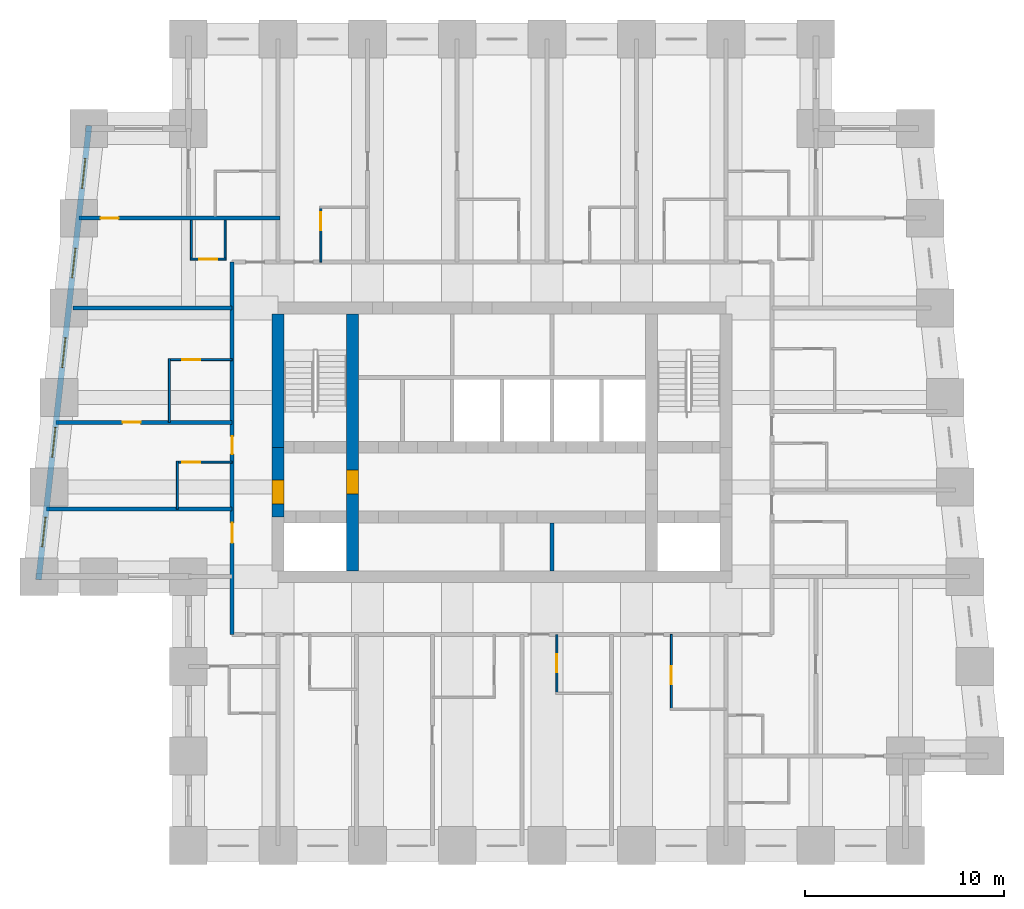
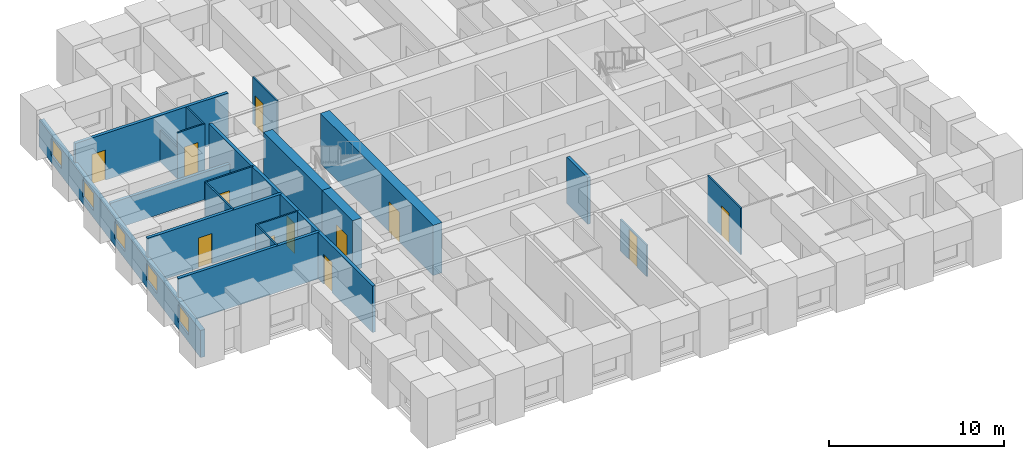
# One storey, part 3 of 8: 20 walls, 12 doors, 5 windows, 17 openings.
"""IFC4 building model written with IfcOpenShell, lengths in metres."""

from ifc_helpers import new_model, si_unit, direction, frame, frame_2d, origin, place, context, subcontext, project, spatial, rectangle, extrude, material, layer, layer_set, type_object, element, fill, save


model = new_model("IFC4")

# Units and contexts
model_context = context("Model", 3, precision=1e-05, world=origin(), true_north=direction((0.0, 1.0)))
body_context = subcontext(model_context, "Body", "Model", "MODEL_VIEW")
ifc_project = project(units=[si_unit("LENGTHUNIT", "METRE"), si_unit("AREAUNIT", "SQUARE_METRE"), si_unit("VOLUMEUNIT", "CUBIC_METRE"), si_unit("PLANEANGLEUNIT", "RADIAN"), si_unit("MASSUNIT", "GRAM", prefix="KILO")], contexts=[model_context])

# Site, building, storey
site_placement = place(None, origin())
site = spatial("IfcSite", under=ifc_project, at=site_placement, CompositionType="ELEMENT")
building_placement = place(site_placement, origin())
building = spatial("IfcBuilding", under=site, at=building_placement, Name="Kilele Tower Hotel", CompositionType="ELEMENT")
storey_placement = place(building_placement, frame((0.0, 0.0, 207.89990234375)))
storey = spatial("IfcBuildingStorey", under=building, at=storey_placement, Name="L54", CompositionType="ELEMENT", Elevation=207.89990234375)

# Wall, opening, door
ifc_material_1 = material(Name="Moisture-resistant board")
ifc_layer_1 = layer(ifc_material_1, 0.10009765625)
ifc_layer_set_1 = layer_set([ifc_layer_1], Name="Moisture-resistant board")
wall_type_1 = type_object("IfcWallType", Name="Bathroom partition 100", PredefinedType="PLUMBINGWALL", material=ifc_layer_set_1)
wall_1_placement = place(storey_placement, frame((27.5, 10.60009765625, 0.0), z_axis=(0.0, 0.0, 1.0), x_axis=(0.0, -1.0, 0.0)))
wall_1 = element("IfcWall", 1, at=wall_1_placement, inside=storey, type_object=wall_type_1, Name="Bathroom partition 100 L54", PredefinedType="PLUMBINGWALL", context=body_context, shape_type="SweptSolid", body=[
    extrude(rectangle(XDim=3.0, YDim=0.10009765625, at=frame_2d((1.5, 0.0))), origin(), (0.0, 0.0, 1.0), 2.2001953125),
])
opening_1_placement = place(wall_1_placement, frame((1.89990234375, 0.0, 0.0), z_axis=(0.0, 0.0, 1.0), x_axis=(-1.0, 0.0, 0.0)))
opening_1 = element("IfcOpeningElement", 2, at=opening_1_placement, cuts=wall_1, Name="Opening D2A", PredefinedType="OPENING", context=body_context, shape_type="SweptSolid", body=[
    extrude(rectangle(XDim=0.89990234375, YDim=2.10009765625, at=frame_2d((0.449951171875, 1.050048828125))), frame((0.0, 0.06005859375, 0.0), z_axis=(0.0, -1.0, 0.0), x_axis=(1.0, 0.0, 0.0)), (0.0, 0.0, 1.0), 0.1201171875),
])
ifc_material_2 = material(Name="Timber door leaf in hardwood frame", Category="wood")
door_type_1 = type_object("IfcDoorType", Name="Bathroom door 900", OperationType="SINGLE_SWING_LEFT", PredefinedType="DOOR", material=ifc_material_2)
door_1_placement = place(opening_1_placement, origin())
door_1 = element("IfcDoor", 3, at=door_1_placement, inside=storey, type_object=door_type_1, Name="Bathroom door 5404B", OperationType="SINGLE_SWING_RIGHT", OverallHeight=2.10009765625, OverallWidth=0.89990234375, PredefinedType="DOOR", context=body_context, shape_type="SweptSolid", body=[
    extrude(rectangle(XDim=0.89990234375, YDim=2.10009765625, at=frame_2d((0.449951171875, 1.050048828125))), frame((0.0, 0.02490234375, 0.0), z_axis=(0.0, -1.0, 0.0), x_axis=(1.0, 0.0, 0.0)), (0.0, 0.0, 1.0), 0.050048828125),
])
fill(opening_1, door_1)

wall_2_placement = place(storey_placement, frame((33.25, 10.60009765625, 0.0), z_axis=(0.0, 0.0, 1.0), x_axis=(0.0, -1.0, 0.0)))
wall_2 = element("IfcWall", 4, at=wall_2_placement, inside=storey, type_object=wall_type_1, Name="Bathroom partition 100 L54", PredefinedType="PLUMBINGWALL", context=body_context, shape_type="SweptSolid", body=[
    extrude(rectangle(XDim=3.800048828125, YDim=0.10009765625, at=frame_2d((1.89990234375, 0.0))), origin(), (0.0, 0.0, 1.0), 3.25),
])
opening_2_placement = place(wall_2_placement, frame((2.5, 0.0, 0.0), z_axis=(0.0, 0.0, 1.0), x_axis=(-1.0, 0.0, 0.0)))
opening_2 = element("IfcOpeningElement", 5, at=opening_2_placement, cuts=wall_2, Name="Opening D2A", PredefinedType="OPENING", context=body_context, shape_type="SweptSolid", body=[
    extrude(rectangle(XDim=0.89990234375, YDim=2.10009765625, at=frame_2d((0.449951171875, 1.050048828125))), frame((0.0, 0.06005859375, 0.0), z_axis=(0.0, -1.0, 0.0), x_axis=(1.0, 0.0, 0.0)), (0.0, 0.0, 1.0), 0.1201171875),
])
door_2_placement = place(opening_2_placement, origin())
door_2 = element("IfcDoor", 6, at=door_2_placement, inside=storey, type_object=door_type_1, Name="Bathroom door 5405B", OperationType="SINGLE_SWING_LEFT", OverallHeight=2.10009765625, OverallWidth=0.89990234375, PredefinedType="DOOR", context=body_context, shape_type="SweptSolid", body=[
    extrude(rectangle(XDim=0.89990234375, YDim=2.10009765625, at=frame_2d((0.449951171875, 1.050048828125))), frame((0.0, 0.02490234375, 0.0), z_axis=(0.0, -1.0, 0.0), x_axis=(1.0, 0.0, 0.0)), (0.0, 0.0, 1.0), 0.050048828125),
])
fill(opening_2, door_2)

wall_3_placement = place(storey_placement, frame((15.64990234375, 29.300048828125, 0.0), z_axis=(0.0, 0.0, 1.0), x_axis=(0.0, 1.0, 0.0)))
wall_3 = element("IfcWall", 7, at=wall_3_placement, inside=storey, type_object=wall_type_1, Name="Bathroom partition 100 L54", PredefinedType="PLUMBINGWALL", context=body_context, shape_type="SweptSolid", body=[
    extrude(rectangle(XDim=2.800048828125, YDim=0.10009765625, at=frame_2d((1.39990234375, 0.0))), origin(), (0.0, 0.0, 1.0), 3.25),
])
opening_3_placement = place(wall_3_placement, frame((1.60009765625, 0.0, 0.0)))
opening_3 = element("IfcOpeningElement", 8, at=opening_3_placement, cuts=wall_3, Name="Opening D2A", PredefinedType="OPENING", context=body_context, shape_type="SweptSolid", body=[
    extrude(rectangle(XDim=0.89990234375, YDim=2.10009765625, at=frame_2d((0.449951171875, 1.050048828125))), frame((0.0, 0.06005859375, 0.0), z_axis=(0.0, -1.0, 0.0), x_axis=(1.0, 0.0, 0.0)), (0.0, 0.0, 1.0), 0.1201171875),
])
door_3_placement = place(opening_3_placement, origin())
door_3 = element("IfcDoor", 9, at=door_3_placement, inside=storey, type_object=door_type_1, Name="Bathroom door 5409B", OperationType="SINGLE_SWING_LEFT", OverallHeight=2.10009765625, OverallWidth=0.89990234375, PredefinedType="DOOR", context=body_context, shape_type="SweptSolid", body=[
    extrude(rectangle(XDim=0.89990234375, YDim=2.10009765625, at=frame_2d((0.449951171875, 1.050048828125))), frame((0.0, 0.02490234375, 0.0), z_axis=(0.0, -1.0, 0.0), x_axis=(1.0, 0.0, 0.0)), (0.0, 0.0, 1.0), 0.050048828125),
])
fill(opening_3, door_3)

# Wall
wall_4_placement = place(storey_placement, frame((8.449951171875, 16.89990234375, 0.0), z_axis=(0.0, 0.0, 1.0), x_axis=(0.0, 1.0, 0.0)))
element("IfcWall", 10, at=wall_4_placement, inside=storey, type_object=wall_type_1, Name="Bathroom partition 100 L54", PredefinedType="PLUMBINGWALL", context=body_context, shape_type="SweptSolid", body=[
    extrude(rectangle(XDim=2.400146484375, YDim=0.10009765625, at=frame_2d((1.2001953125, 0.0))), origin(), (0.0, 0.0, 1.0), 3.25),
])

# Wall, opening, door
wall_5_placement = place(storey_placement, frame((11.199951171875, 19.25, 0.0), z_axis=(0.0, 0.0, 1.0), x_axis=(-1.0, 0.0, 0.0)))
wall_5 = element("IfcWall", 11, at=wall_5_placement, inside=storey, type_object=wall_type_1, Name="Bathroom partition 100 L54", PredefinedType="PLUMBINGWALL", context=body_context, shape_type="SweptSolid", body=[
    extrude(rectangle(XDim=2.800048828125, YDim=0.10009765625, at=frame_2d((1.39990234375, 0.0))), origin(), (0.0, 0.0, 1.0), 3.25),
])
opening_4_placement = place(wall_5_placement, frame((2.5, 0.0, 0.0), z_axis=(0.0, 0.0, 1.0), x_axis=(-1.0, 0.0, 0.0)))
opening_4 = element("IfcOpeningElement", 12, at=opening_4_placement, cuts=wall_5, Name="Opening D2A", PredefinedType="OPENING", context=body_context, shape_type="SweptSolid", body=[
    extrude(rectangle(XDim=0.89990234375, YDim=2.10009765625, at=frame_2d((0.449951171875, 1.050048828125))), frame((0.0, 0.06005859375, 0.0), z_axis=(0.0, -1.0, 0.0), x_axis=(1.0, 0.0, 0.0)), (0.0, 0.0, 1.0), 0.1201171875),
])
door_4_placement = place(opening_4_placement, origin())
door_4 = element("IfcDoor", 13, at=door_4_placement, inside=storey, type_object=door_type_1, Name="Bathroom door 5415B", OperationType="SINGLE_SWING_LEFT", OverallHeight=2.10009765625, OverallWidth=0.89990234375, PredefinedType="DOOR", context=body_context, shape_type="SweptSolid", body=[
    extrude(rectangle(XDim=0.89990234375, YDim=2.10009765625, at=frame_2d((0.449951171875, 1.050048828125))), frame((0.0, 0.02490234375, 0.0), z_axis=(0.0, -1.0, 0.0), x_axis=(1.0, 0.0, 0.0)), (0.0, 0.0, 1.0), 0.050048828125),
])
fill(opening_4, door_4)

# Wall
wall_6_placement = place(storey_placement, frame((8.050048828125, 21.25, 0.0), z_axis=(0.0, 0.0, 1.0), x_axis=(0.0, 1.0, 0.0)))
element("IfcWall", 14, at=wall_6_placement, inside=storey, type_object=wall_type_1, Name="Bathroom partition 100 L54", PredefinedType="PLUMBINGWALL", context=body_context, shape_type="SweptSolid", body=[
    extrude(rectangle(XDim=3.199951171875, YDim=0.10009765625, at=frame_2d((1.60009765625, 0.0))), origin(), (0.0, 0.0, 1.0), 3.25),
])

# Wall, opening, door
wall_7_placement = place(storey_placement, frame((11.199951171875, 24.39990234375, 0.0), z_axis=(0.0, 0.0, 1.0), x_axis=(-1.0, 0.0, 0.0)))
wall_7 = element("IfcWall", 15, at=wall_7_placement, inside=storey, type_object=wall_type_1, Name="Bathroom partition 100 L54", PredefinedType="PLUMBINGWALL", context=body_context, shape_type="SweptSolid", body=[
    extrude(rectangle(XDim=3.199951171875, YDim=0.10009765625, at=frame_2d((1.60009765625, 0.0))), origin(), (0.0, 0.0, 1.0), 3.25),
])
opening_5_placement = place(wall_7_placement, frame((2.5, 0.0, 0.0), z_axis=(0.0, 0.0, 1.0), x_axis=(-1.0, 0.0, 0.0)))
opening_5 = element("IfcOpeningElement", 16, at=opening_5_placement, cuts=wall_7, Name="Opening D2A", PredefinedType="OPENING", context=body_context, shape_type="SweptSolid", body=[
    extrude(rectangle(XDim=0.89990234375, YDim=2.10009765625, at=frame_2d((0.449951171875, 1.050048828125))), frame((0.0, 0.06005859375, 0.0), z_axis=(0.0, -1.0, 0.0), x_axis=(1.0, 0.0, 0.0)), (0.0, 0.0, 1.0), 0.1201171875),
])
door_5_placement = place(opening_5_placement, origin())
door_5 = element("IfcDoor", 17, at=door_5_placement, inside=storey, type_object=door_type_1, Name="Bathroom door 5416B", OperationType="SINGLE_SWING_LEFT", OverallHeight=2.10009765625, OverallWidth=0.89990234375, PredefinedType="DOOR", context=body_context, shape_type="SweptSolid", body=[
    extrude(rectangle(XDim=0.89990234375, YDim=2.10009765625, at=frame_2d((0.449951171875, 1.050048828125))), frame((0.0, 0.02490234375, 0.0), z_axis=(0.0, -1.0, 0.0), x_axis=(1.0, 0.0, 0.0)), (0.0, 0.0, 1.0), 0.050048828125),
])
fill(opening_5, door_5)

# Walls
wall_8_placement = place(storey_placement, frame((9.14990234375, 31.39990234375, 0.0), z_axis=(0.0, 0.0, 1.0), x_axis=(0.0, -1.0, 0.0)))
element("IfcWall", 18, at=wall_8_placement, inside=storey, type_object=wall_type_1, Name="Bathroom partition 100 L54", PredefinedType="PLUMBINGWALL", context=body_context, shape_type="SweptSolid", body=[
    extrude(rectangle(XDim=2.0, YDim=0.10009765625, at=frame_2d((1.0, 0.0))), origin(), (0.0, 0.0, 1.0), 2.2001953125),
])
wall_9_placement = place(storey_placement, frame((10.85009765625, 31.39990234375, 0.0), z_axis=(0.0, 0.0, 1.0), x_axis=(0.0, -1.0, 0.0)))
element("IfcWall", 19, at=wall_9_placement, inside=storey, type_object=wall_type_1, Name="Bathroom partition 100 L54", PredefinedType="PLUMBINGWALL", context=body_context, shape_type="SweptSolid", body=[
    extrude(rectangle(XDim=2.0, YDim=0.10009765625, at=frame_2d((1.0, 0.0))), origin(), (0.0, 0.0, 1.0), 3.25),
])

# Wall, opening, door
wall_10_placement = place(storey_placement, frame((10.89990234375, 29.449951171875, 0.0), z_axis=(0.0, 0.0, 1.0), x_axis=(-1.0, 0.0, 0.0)))
wall_10 = element("IfcWall", 20, at=wall_10_placement, inside=storey, type_object=wall_type_1, Name="Bathroom partition 100 L54", PredefinedType="PLUMBINGWALL", context=body_context, shape_type="SweptSolid", body=[
    extrude(rectangle(XDim=1.7998046875, YDim=0.10009765625, at=frame_2d((0.89990234375, 0.0))), origin(), (0.0, 0.0, 1.0), 3.25),
])
opening_6_placement = place(wall_10_placement, frame((0.449951171875, 0.0, 0.0)))
opening_6 = element("IfcOpeningElement", 21, at=opening_6_placement, cuts=wall_10, Name="Opening D2A", PredefinedType="OPENING", context=body_context, shape_type="SweptSolid", body=[
    extrude(rectangle(XDim=0.89990234375, YDim=2.10009765625, at=frame_2d((0.449951171875, 1.050048828125))), frame((0.0, 0.06005859375, 0.0), z_axis=(0.0, -1.0, 0.0), x_axis=(1.0, 0.0, 0.0)), (0.0, 0.0, 1.0), 0.1201171875),
])
door_6_placement = place(opening_6_placement, origin())
door_6 = element("IfcDoor", 22, at=door_6_placement, inside=storey, type_object=door_type_1, Name="Bathroom door 5425P", OperationType="SINGLE_SWING_LEFT", OverallHeight=2.10009765625, OverallWidth=0.89990234375, PredefinedType="DOOR", context=body_context, shape_type="SweptSolid", body=[
    extrude(rectangle(XDim=0.89990234375, YDim=2.10009765625, at=frame_2d((0.449951171875, 1.050048828125))), frame((0.0, 0.02490234375, 0.0), z_axis=(0.0, -1.0, 0.0), x_axis=(1.0, 0.0, 0.0)), (0.0, 0.0, 1.0), 0.050048828125),
])
fill(opening_6, door_6)

ifc_material_3 = material(Name="Concrete C70/85", Category="concrete")
ifc_layer_2 = layer(ifc_material_3, 0.60009765625)
ifc_layer_set_2 = layer_set([ifc_layer_2], Name="Concrete C70/85")
wall_type_2 = type_object("IfcWallType", Name="Core wall 600 C70/85", PredefinedType="SHEAR", material=ifc_layer_set_2)
wall_11_placement = place(storey_placement, frame((17.25, 13.800048828125, 0.0), z_axis=(0.0, 0.0, 1.0), x_axis=(0.0, 1.0, 0.0)))
wall_11 = element("IfcWall", 23, at=wall_11_placement, inside=storey, type_object=wall_type_2, Name="Core wall IW L54", PredefinedType="SHEAR", context=body_context, shape_type="SweptSolid", body=[
    extrude(rectangle(XDim=12.89990234375, YDim=0.60009765625, at=frame_2d((6.449951171875, 0.0))), origin(), (0.0, 0.0, 1.0), 3.5),
])
opening_7_placement = place(wall_11_placement, frame((3.85009765625, 0.0, 0.0)))
opening_7 = element("IfcOpeningElement", 24, at=opening_7_placement, cuts=wall_11, Name="Opening D4", PredefinedType="OPENING", context=body_context, shape_type="SweptSolid", body=[
    extrude(rectangle(XDim=1.199951171875, YDim=2.10009765625, at=frame_2d((0.60009765625, 1.050048828125))), frame((0.0, 0.31005859375, 0.0), z_axis=(0.0, -1.0, 0.0), x_axis=(1.0, 0.0, 0.0)), (0.0, 0.0, 1.0), 0.6201171875),
])
ifc_material_4 = material(Name="Timber door leaf in hardwood frame", Category="wood")
door_type_2 = type_object("IfcDoorType", Name="Firefighting lobby door 1200", OperationType="SINGLE_SWING_LEFT", PredefinedType="DOOR", material=ifc_material_4)
door_7_placement = place(opening_7_placement, origin())
door_7 = element("IfcDoor", 25, at=door_7_placement, inside=storey, type_object=door_type_2, Name="Lobby door L54", OperationType="SINGLE_SWING_LEFT", OverallHeight=2.10009765625, OverallWidth=1.199951171875, PredefinedType="DOOR", context=body_context, shape_type="SweptSolid", body=[
    extrude(rectangle(XDim=1.199951171875, YDim=2.10009765625, at=frame_2d((0.60009765625, 1.050048828125))), frame((0.0, 0.2998046875, 0.0), z_axis=(0.0, -1.0, 0.0), x_axis=(1.0, 0.0, 0.0)), (0.0, 0.0, 1.0), 0.599609375),
])
fill(opening_7, door_7)

# Wall
wall_12_placement = place(storey_placement, frame((13.5, 26.699951171875, 0.0), z_axis=(0.0, 0.0, 1.0), x_axis=(0.0, -1.0, 0.0)))
element("IfcWall", 26, at=wall_12_placement, inside=storey, type_object=wall_type_2, Name="Core wall W1 L54", PredefinedType="SHEAR", context=body_context, shape_type="SweptSolid", body=[
    extrude(rectangle(XDim=6.699951171875, YDim=0.60009765625, at=frame_2d((3.35009765625, 0.0))), origin(), (0.0, 0.0, 1.0), 3.5),
])

# Wall, opening, door
wall_13_placement = place(storey_placement, frame((13.5, 20.0, 0.0), z_axis=(0.0, 0.0, 1.0), x_axis=(0.0, -1.0, 0.0)))
wall_13 = element("IfcWall", 27, at=wall_13_placement, inside=storey, type_object=wall_type_2, Name="Core wall W2 L54", PredefinedType="SHEAR", context=body_context, shape_type="SweptSolid", body=[
    extrude(rectangle(XDim=3.5, YDim=0.60009765625, at=frame_2d((1.75, 0.0))), origin(), (0.0, 0.0, 1.0), 3.5),
])
opening_8_placement = place(wall_13_placement, frame((1.64990234375, 0.0, 0.0)))
opening_8 = element("IfcOpeningElement", 28, at=opening_8_placement, cuts=wall_13, Name="Opening D4", PredefinedType="OPENING", context=body_context, shape_type="SweptSolid", body=[
    extrude(rectangle(XDim=1.199951171875, YDim=2.10009765625, at=frame_2d((0.60009765625, 1.050048828125))), frame((0.0, 0.31005859375, 0.0), z_axis=(0.0, -1.0, 0.0), x_axis=(1.0, 0.0, 0.0)), (0.0, 0.0, 1.0), 0.6201171875),
])
door_8_placement = place(opening_8_placement, origin())
door_8 = element("IfcDoor", 29, at=door_8_placement, inside=storey, type_object=door_type_2, Name="Lobby door L54", OperationType="SINGLE_SWING_RIGHT", OverallHeight=2.10009765625, OverallWidth=1.199951171875, PredefinedType="DOOR", context=body_context, shape_type="SweptSolid", body=[
    extrude(rectangle(XDim=1.199951171875, YDim=2.10009765625, at=frame_2d((0.60009765625, 1.050048828125))), frame((0.0, 0.2998046875, 0.0), z_axis=(0.0, -1.0, 0.0), x_axis=(1.0, 0.0, 0.0)), (0.0, 0.0, 1.0), 0.599609375),
])
fill(opening_8, door_8)

# Wall, openings, doors
ifc_material_5 = material(Name="Blockwork, plastered both sides", Category="masonry")
ifc_layer_3 = layer(ifc_material_5, 0.199951171875)
ifc_layer_set_3 = layer_set([ifc_layer_3], Name="Blockwork, plastered both sides")
wall_type_3 = type_object("IfcWallType", Name="Corridor wall 200", PredefinedType="PARTITIONING", material=ifc_layer_set_3)
wall_14_placement = place(storey_placement, frame((11.199951171875, 10.60009765625, 0.0), z_axis=(0.0, 0.0, 1.0), x_axis=(0.0, 1.0, 0.0)))
wall_14 = element("IfcWall", 30, at=wall_14_placement, inside=storey, type_object=wall_type_3, Name="Corridor wall 200 L54", PredefinedType="PARTITIONING", context=body_context, shape_type="SweptSolid", body=[
    extrude(rectangle(XDim=18.699951171875, YDim=0.199951171875, at=frame_2d((9.35009765625, 0.0))), origin(), (0.0, 0.0, 1.0), 3.25),
])
opening_9_placement = place(wall_14_placement, frame((4.60009765625, 0.0, 0.0)))
opening_9 = element("IfcOpeningElement", 31, at=opening_9_placement, cuts=wall_14, Name="Opening D8", PredefinedType="OPENING", context=body_context, shape_type="SweptSolid", body=[
    extrude(rectangle(XDim=1.0, YDim=2.10009765625, at=frame_2d((0.5, 1.050048828125))), frame((0.0, 0.10986328125, 0.0), z_axis=(0.0, -1.0, 0.0), x_axis=(1.0, 0.0, 0.0)), (0.0, 0.0, 1.0), 0.219970703125),
])
opening_10_placement = place(wall_14_placement, frame((9.050048828125, 0.0, 0.0)))
opening_10 = element("IfcOpeningElement", 32, at=opening_10_placement, cuts=wall_14, Name="Opening D1", PredefinedType="OPENING", context=body_context, shape_type="SweptSolid", body=[
    extrude(rectangle(XDim=0.89990234375, YDim=2.10009765625, at=frame_2d((0.449951171875, 1.050048828125))), frame((0.0, 0.10986328125, 0.0), z_axis=(0.0, -1.0, 0.0), x_axis=(1.0, 0.0, 0.0)), (0.0, 0.0, 1.0), 0.219970703125),
])
ifc_material_6 = material(Name="Timber door leaf in hardwood frame", Category="wood")
door_type_3 = type_object("IfcDoorType", Name="Door 1000", OperationType="SINGLE_SWING_LEFT", PredefinedType="DOOR", material=ifc_material_6)
door_9_placement = place(opening_9_placement, origin())
door_9 = element("IfcDoor", 33, at=door_9_placement, inside=storey, type_object=door_type_3, Name="Room entrance 5414", OperationType="SINGLE_SWING_RIGHT", OverallHeight=2.10009765625, OverallWidth=1.0, PredefinedType="DOOR", context=body_context, shape_type="SweptSolid", body=[
    extrude(rectangle(XDim=1.0, YDim=2.10009765625, at=frame_2d((0.5, 1.050048828125))), frame((0.0, 0.02490234375, 0.0), z_axis=(0.0, -1.0, 0.0), x_axis=(1.0, 0.0, 0.0)), (0.0, 0.0, 1.0), 0.050048828125),
])
fill(opening_9, door_9)
ifc_material_7 = material(Name="Timber door leaf in hardwood frame", Category="wood")
door_type_4 = type_object("IfcDoorType", Name="Guest room entrance door 900", OperationType="SINGLE_SWING_LEFT", PredefinedType="DOOR", material=ifc_material_7)
door_10_placement = place(opening_10_placement, origin())
door_10 = element("IfcDoor", 34, at=door_10_placement, inside=storey, type_object=door_type_4, Name="Room entrance 5415", OperationType="SINGLE_SWING_LEFT", OverallHeight=2.10009765625, OverallWidth=0.89990234375, PredefinedType="DOOR", context=body_context, shape_type="SweptSolid", body=[
    extrude(rectangle(XDim=0.89990234375, YDim=2.10009765625, at=frame_2d((0.449951171875, 1.050048828125))), frame((0.0, 0.02490234375, 0.0), z_axis=(0.0, -1.0, 0.0), x_axis=(1.0, 0.0, 0.0)), (0.0, 0.0, 1.0), 0.050048828125),
])
fill(opening_10, door_10)

# Wall
ifc_material_8 = material(Name="Blockwork, plastered both sides", Category="masonry")
ifc_layer_4 = layer(ifc_material_8, 0.199951171875)
ifc_layer_set_4 = layer_set([ifc_layer_4], Name="Blockwork, plastered both sides")
wall_type_4 = type_object("IfcWallType", Name="Party wall 200", PredefinedType="PARTITIONING", material=ifc_layer_set_4)
wall_15_placement = place(storey_placement, frame((11.199951171875, 16.89990234375, 0.0), z_axis=(0.0, 0.0, 1.0), x_axis=(-1.0, 0.0, 0.0)))
element("IfcWall", 35, at=wall_15_placement, inside=storey, type_object=wall_type_4, Name="Party wall 200 L54", PredefinedType="PARTITIONING", context=body_context, shape_type="SweptSolid", body=[
    extrude(rectangle(XDim=9.3212890625, YDim=0.199951171875, at=frame_2d((4.66064453125, 0.0))), origin(), (0.0, 0.0, 1.0), 3.25),
])

# Wall, opening, door
wall_16_placement = place(storey_placement, frame((11.199951171875, 21.25, 0.0), z_axis=(0.0, 0.0, 1.0), x_axis=(-1.0, 0.0, 0.0)))
wall_16 = element("IfcWall", 36, at=wall_16_placement, inside=storey, type_object=wall_type_4, Name="Party wall 200 L54", PredefinedType="PARTITIONING", context=body_context, shape_type="SweptSolid", body=[
    extrude(rectangle(XDim=8.837890625, YDim=0.199951171875, at=frame_2d((4.4189453125, 0.0))), origin(), (0.0, 0.0, 1.0), 3.25),
])
opening_11_placement = place(wall_16_placement, frame((5.5, 0.0, 0.0), z_axis=(0.0, 0.0, 1.0), x_axis=(-1.0, 0.0, 0.0)))
opening_11 = element("IfcOpeningElement", 37, at=opening_11_placement, cuts=wall_16, Name="Opening D3", PredefinedType="OPENING", context=body_context, shape_type="SweptSolid", body=[
    extrude(rectangle(XDim=0.89990234375, YDim=2.10009765625, at=frame_2d((0.449951171875, 1.050048828125))), frame((0.0, 0.10986328125, 0.0), z_axis=(0.0, -1.0, 0.0), x_axis=(1.0, 0.0, 0.0)), (0.0, 0.0, 1.0), 0.219970703125),
])
ifc_material_9 = material(Name="Timber door leaf in hardwood frame", Category="wood")
door_type_5 = type_object("IfcDoorType", Name="Suite internal door 900", OperationType="SINGLE_SWING_LEFT", PredefinedType="DOOR", material=ifc_material_9)
door_11_placement = place(opening_11_placement, origin())
door_11 = element("IfcDoor", 38, at=door_11_placement, inside=storey, type_object=door_type_5, Name="Suite door 5416", OperationType="SINGLE_SWING_RIGHT", OverallHeight=2.10009765625, OverallWidth=0.89990234375, PredefinedType="DOOR", context=body_context, shape_type="SweptSolid", body=[
    extrude(rectangle(XDim=0.89990234375, YDim=2.10009765625, at=frame_2d((0.449951171875, 1.050048828125))), frame((0.0, 0.02490234375, 0.0), z_axis=(0.0, -1.0, 0.0), x_axis=(1.0, 0.0, 0.0)), (0.0, 0.0, 1.0), 0.050048828125),
])
fill(opening_11, door_11)

# Wall
wall_17_placement = place(storey_placement, frame((11.199951171875, 27.0, 0.0), z_axis=(0.0, 0.0, 1.0), x_axis=(-1.0, 0.0, 0.0)))
element("IfcWall", 39, at=wall_17_placement, inside=storey, type_object=wall_type_4, Name="Party wall 200 L54", PredefinedType="PARTITIONING", context=body_context, shape_type="SweptSolid", body=[
    extrude(rectangle(XDim=7.976806640625, YDim=0.199951171875, at=frame_2d((3.98828125, 0.0))), origin(), (0.0, 0.0, 1.0), 1.900146484375),
])

# Wall, opening, door
wall_18_placement = place(storey_placement, frame((13.60009765625, 31.5, 0.0), z_axis=(0.0, 0.0, 1.0), x_axis=(-1.0, 0.0, 0.0)))
wall_18 = element("IfcWall", 40, at=wall_18_placement, inside=storey, type_object=wall_type_4, Name="Party wall 200 L54", PredefinedType="PARTITIONING", context=body_context, shape_type="SweptSolid", body=[
    extrude(rectangle(XDim=10.09912109375, YDim=0.199951171875, at=frame_2d((5.049560546875, 0.0))), origin(), (0.0, 0.0, 1.0), 3.25),
])
opening_12_placement = place(wall_18_placement, frame((8.9990234375, 0.0, 0.0), z_axis=(0.0, 0.0, 1.0), x_axis=(-1.0, 0.0, 0.0)))
opening_12 = element("IfcOpeningElement", 41, at=opening_12_placement, cuts=wall_18, Name="Opening D3", PredefinedType="OPENING", context=body_context, shape_type="SweptSolid", body=[
    extrude(rectangle(XDim=0.89990234375, YDim=2.10009765625, at=frame_2d((0.449951171875, 1.050048828125))), frame((0.0, 0.10986328125, 0.0), z_axis=(0.0, -1.0, 0.0), x_axis=(1.0, 0.0, 0.0)), (0.0, 0.0, 1.0), 0.219970703125),
])
door_12_placement = place(opening_12_placement, origin())
door_12 = element("IfcDoor", 42, at=door_12_placement, inside=storey, type_object=door_type_5, Name="Suite door 5426", OperationType="SINGLE_SWING_LEFT", OverallHeight=2.10009765625, OverallWidth=0.89990234375, PredefinedType="DOOR", context=body_context, shape_type="SweptSolid", body=[
    extrude(rectangle(XDim=0.89990234375, YDim=2.10009765625, at=frame_2d((0.449951171875, 1.050048828125))), frame((0.0, 0.02490234375, 0.0), z_axis=(0.0, -1.0, 0.0), x_axis=(1.0, 0.0, 0.0)), (0.0, 0.0, 1.0), 0.050048828125),
])
fill(opening_12, door_12)

# Wall, openings, windows
ifc_material_10 = material(Name="Concrete C40/50 precast", Category="concrete")
ifc_layer_5 = layer(ifc_material_10, 0.260009765625, Name="Precast backing", Category="LoadBearing")
ifc_material_11 = material(Name="Reconstituted stone finish", Category="masonry")
ifc_layer_6 = layer(ifc_material_11, 0.0400390625, Name="Face mix", Category="Finish")
ifc_layer_set_5 = layer_set([ifc_layer_5, ifc_layer_6], Name="Precast concrete C40/50, reconstituted stone finish")
wall_type_5 = type_object("IfcWallType", Name="Precast stone facade wall 300", PredefinedType="STANDARD", material=ifc_layer_set_5)
wall_19_placement = place(storey_placement, frame((4.0166015625, 36.149169921875, 0.0), z_axis=(0.0, 0.0, 1.0), x_axis=(-0.110433862387, -0.993883475081, 0.0)))
wall_19 = element("IfcWall", 43, at=wall_19_placement, inside=storey, type_object=wall_type_5, Name="Facade wall L54 edge 12", PredefinedType="STANDARD", context=body_context, shape_type="SweptSolid", body=[
    extrude(rectangle(XDim=22.938720703125, YDim=0.300048828125, at=frame_2d((11.46923828125, 0.0))), origin(), (0.0, 0.0, 1.0), 1.900146484375),
])
opening_13_placement = place(wall_19_placement, frame((1.6640625, 0.0, 0.5)))
opening_13 = element("IfcOpeningElement", 44, at=opening_13_placement, cuts=wall_19, Name="Opening W3", PredefinedType="OPENING", context=body_context, shape_type="SweptSolid", body=[
    extrude(rectangle(XDim=1.5, YDim=1.199951171875, at=frame_2d((0.75, 0.60009765625))), frame((0.0, 0.159912109375, 0.0), z_axis=(0.0, -1.0, 0.0), x_axis=(1.0, 0.0, 0.0)), (0.0, 0.0, 1.0), 0.320068359375),
])
opening_14_placement = place(wall_19_placement, frame((6.19189453125, 0.0, 0.5)))
opening_14 = element("IfcOpeningElement", 45, at=opening_14_placement, cuts=wall_19, Name="Opening W3", PredefinedType="OPENING", context=body_context, shape_type="SweptSolid", body=[
    extrude(rectangle(XDim=1.5, YDim=1.199951171875, at=frame_2d((0.75, 0.60009765625))), frame((0.0, 0.159912109375, 0.0), z_axis=(0.0, -1.0, 0.0), x_axis=(1.0, 0.0, 0.0)), (0.0, 0.0, 1.0), 0.320068359375),
])
opening_15_placement = place(wall_19_placement, frame((10.718994140625, 0.0, 0.5)))
opening_15 = element("IfcOpeningElement", 46, at=opening_15_placement, cuts=wall_19, Name="Opening W3", PredefinedType="OPENING", context=body_context, shape_type="SweptSolid", body=[
    extrude(rectangle(XDim=1.5, YDim=1.199951171875, at=frame_2d((0.75, 0.60009765625))), frame((0.0, 0.159912109375, 0.0), z_axis=(0.0, -1.0, 0.0), x_axis=(1.0, 0.0, 0.0)), (0.0, 0.0, 1.0), 0.320068359375),
])
opening_16_placement = place(wall_19_placement, frame((15.2470703125, 0.0, 0.5)))
opening_16 = element("IfcOpeningElement", 47, at=opening_16_placement, cuts=wall_19, Name="Opening W3", PredefinedType="OPENING", context=body_context, shape_type="SweptSolid", body=[
    extrude(rectangle(XDim=1.5, YDim=1.199951171875, at=frame_2d((0.75, 0.60009765625))), frame((0.0, 0.159912109375, 0.0), z_axis=(0.0, -1.0, 0.0), x_axis=(1.0, 0.0, 0.0)), (0.0, 0.0, 1.0), 0.320068359375),
])
opening_17_placement = place(wall_19_placement, frame((19.77490234375, 0.0, 0.5)))
opening_17 = element("IfcOpeningElement", 48, at=opening_17_placement, cuts=wall_19, Name="Opening W3", PredefinedType="OPENING", context=body_context, shape_type="SweptSolid", body=[
    extrude(rectangle(XDim=1.5, YDim=1.199951171875, at=frame_2d((0.75, 0.60009765625))), frame((0.0, 0.159912109375, 0.0), z_axis=(0.0, -1.0, 0.0), x_axis=(1.0, 0.0, 0.0)), (0.0, 0.0, 1.0), 0.320068359375),
])
ifc_material_12 = material(Name="Aluminium frame, clear double glazing", Category="aluminium")
window_type = type_object("IfcWindowType", Name="Window W3 1500 x 1200", PartitioningType="SINGLE_PANEL", PredefinedType="WINDOW", material=ifc_material_12)
window_1_placement = place(opening_13_placement, origin())
window_1 = element("IfcWindow", 49, at=window_1_placement, inside=storey, type_object=window_type, Name="Window L54", OverallHeight=1.199951171875, OverallWidth=1.5, PartitioningType="SINGLE_PANEL", PredefinedType="WINDOW", context=body_context, shape_type="SweptSolid", body=[
    extrude(rectangle(XDim=1.5, YDim=1.199951171875, at=frame_2d((0.75, 0.60009765625))), frame((0.0, 0.030029296875, 0.0), z_axis=(0.0, -1.0, 0.0), x_axis=(1.0, 0.0, 0.0)), (0.0, 0.0, 1.0), 0.06005859375),
])
fill(opening_13, window_1)
window_2_placement = place(opening_14_placement, origin())
window_2 = element("IfcWindow", 50, at=window_2_placement, inside=storey, type_object=window_type, Name="Window L54", OverallHeight=1.199951171875, OverallWidth=1.5, PartitioningType="SINGLE_PANEL", PredefinedType="WINDOW", context=body_context, shape_type="SweptSolid", body=[
    extrude(rectangle(XDim=1.5, YDim=1.199951171875, at=frame_2d((0.75, 0.60009765625))), frame((0.0, 0.030029296875, 0.0), z_axis=(0.0, -1.0, 0.0), x_axis=(1.0, 0.0, 0.0)), (0.0, 0.0, 1.0), 0.06005859375),
])
fill(opening_14, window_2)
window_3_placement = place(opening_15_placement, origin())
window_3 = element("IfcWindow", 51, at=window_3_placement, inside=storey, type_object=window_type, Name="Window L54", OverallHeight=1.199951171875, OverallWidth=1.5, PartitioningType="SINGLE_PANEL", PredefinedType="WINDOW", context=body_context, shape_type="SweptSolid", body=[
    extrude(rectangle(XDim=1.5, YDim=1.199951171875, at=frame_2d((0.75, 0.60009765625))), frame((0.0, 0.030029296875, 0.0), z_axis=(0.0, -1.0, 0.0), x_axis=(1.0, 0.0, 0.0)), (0.0, 0.0, 1.0), 0.06005859375),
])
fill(opening_15, window_3)
window_4_placement = place(opening_16_placement, origin())
window_4 = element("IfcWindow", 52, at=window_4_placement, inside=storey, type_object=window_type, Name="Window L54", OverallHeight=1.199951171875, OverallWidth=1.5, PartitioningType="SINGLE_PANEL", PredefinedType="WINDOW", context=body_context, shape_type="SweptSolid", body=[
    extrude(rectangle(XDim=1.5, YDim=1.199951171875, at=frame_2d((0.75, 0.60009765625))), frame((0.0, 0.030029296875, 0.0), z_axis=(0.0, -1.0, 0.0), x_axis=(1.0, 0.0, 0.0)), (0.0, 0.0, 1.0), 0.06005859375),
])
fill(opening_16, window_4)
window_5_placement = place(opening_17_placement, origin())
window_5 = element("IfcWindow", 53, at=window_5_placement, inside=storey, type_object=window_type, Name="Window L54", OverallHeight=1.199951171875, OverallWidth=1.5, PartitioningType="SINGLE_PANEL", PredefinedType="WINDOW", context=body_context, shape_type="SweptSolid", body=[
    extrude(rectangle(XDim=1.5, YDim=1.199951171875, at=frame_2d((0.75, 0.60009765625))), frame((0.0, 0.030029296875, 0.0), z_axis=(0.0, -1.0, 0.0), x_axis=(1.0, 0.0, 0.0)), (0.0, 0.0, 1.0), 0.06005859375),
])
fill(opening_17, window_5)

# Wall
ifc_material_13 = material(Name="Blockwork, fire-rated", Category="masonry")
ifc_layer_7 = layer(ifc_material_13, 0.199951171875)
ifc_layer_set_6 = layer_set([ifc_layer_7], Name="Blockwork, fire-rated")
wall_type_6 = type_object("IfcWallType", Name="Shaft wall 200", PredefinedType="PARTITIONING", material=ifc_layer_set_6)
wall_20_placement = place(storey_placement, frame((27.25, 13.800048828125, 0.0), z_axis=(0.0, 0.0, 1.0), x_axis=(0.0, 1.0, 0.0)))
element("IfcWall", 54, at=wall_20_placement, inside=storey, type_object=wall_type_6, Name="Shaft wall 200 L54", PredefinedType="PARTITIONING", context=body_context, shape_type="SweptSolid", body=[
    extrude(rectangle(XDim=2.39990234375, YDim=0.199951171875, at=frame_2d((1.199951171875, 0.0))), origin(), (0.0, 0.0, 1.0), 3.25),
])

save(model, "model.ifc")
